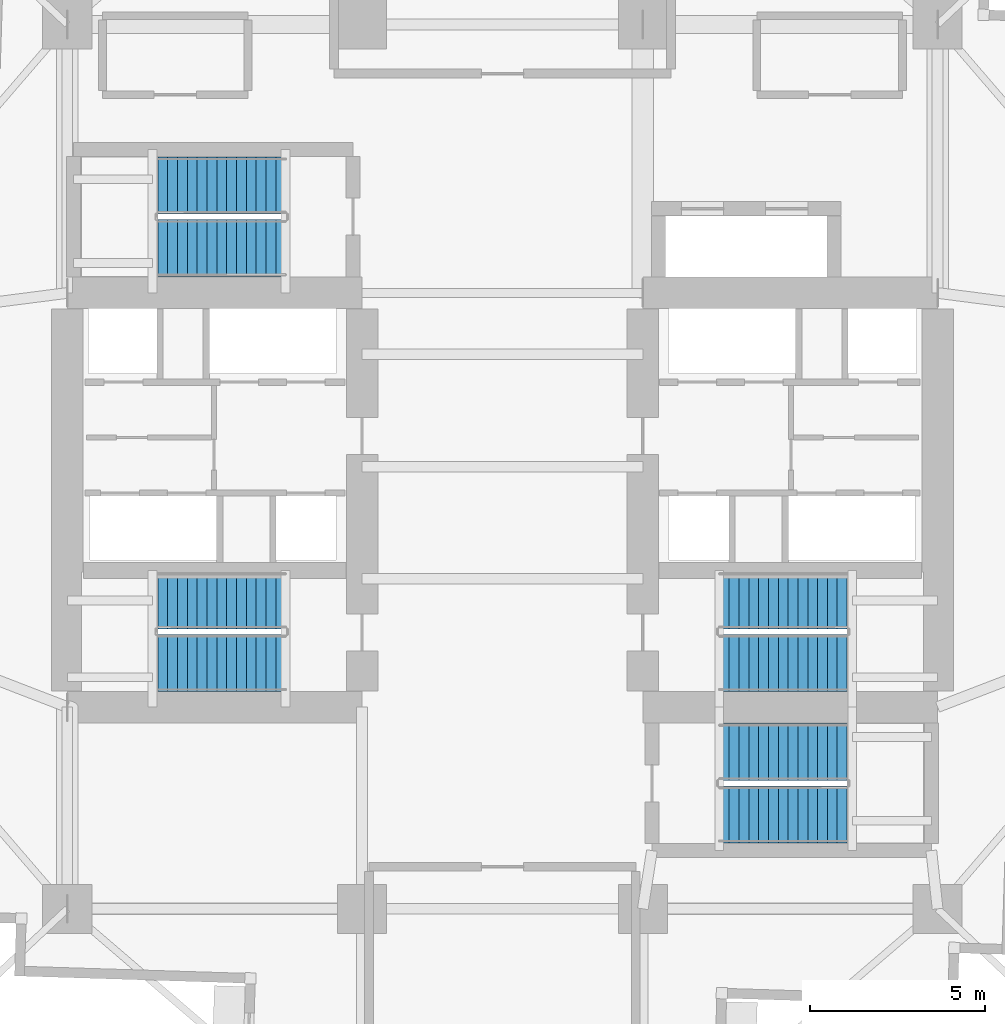
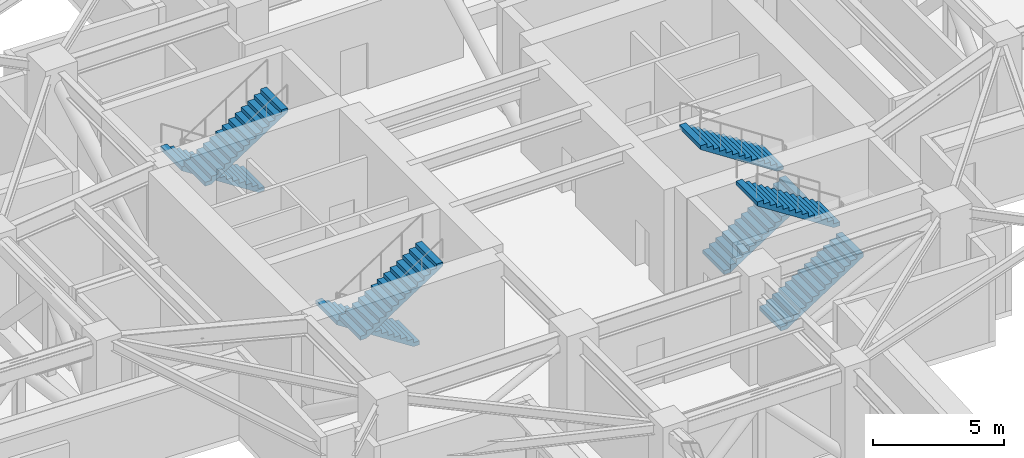
# One storey, part 12 of 17: 8 stair flights, 4 elements without a shape of their own.
"""IFC4 building model written with IfcOpenShell, lengths in metres."""

from ifc_helpers import new_model, si_unit, direction, frame, origin, place, context, subcontext, project, spatial, polyline, outline, extrude, material, layer, layer_set, type_object, element, aggregate, save


model = new_model("IFC4")

# Units and contexts
model_context = context("Model", 3, precision=1e-05, world=origin(), true_north=direction((0.0, 1.0)))
body_context = subcontext(model_context, "Body", "Model", "MODEL_VIEW")
ifc_project = project(units=[si_unit("LENGTHUNIT", "METRE"), si_unit("AREAUNIT", "SQUARE_METRE"), si_unit("VOLUMEUNIT", "CUBIC_METRE"), si_unit("PLANEANGLEUNIT", "RADIAN"), si_unit("MASSUNIT", "GRAM", prefix="KILO")], contexts=[model_context])

# Site, building, storey
site_placement = place(None, origin())
site = spatial("IfcSite", under=ifc_project, at=site_placement, CompositionType="ELEMENT")
building_placement = place(site_placement, origin())
building = spatial("IfcBuilding", under=site, at=building_placement, Name="Qingluan Cross Belvedere", CompositionType="ELEMENT")
storey_placement = place(building_placement, frame((0.0, 0.0, 95.10009765625)))
storey = spatial("IfcBuildingStorey", under=building, at=storey_placement, Name="L24", CompositionType="ELEMENT", Elevation=95.10009765625)

# Stair, stair flights
ifc_material_1 = material(Name="Concrete C40", Category="concrete")
stair_type = type_object("IfcStairType", Name="CoreDoglegStair_1620", PredefinedType="HALF_TURN_STAIR", material=ifc_material_1)
stair_1_placement = place(storey_placement, origin())
stair_1 = element("IfcStair", 1, at=stair_1_placement, inside=storey, type_object=stair_type, Name="L24 ST1", PredefinedType="HALF_TURN_STAIR")
ifc_material_2 = material(Name="Concrete C40", Category="concrete")
ifc_layer = layer(ifc_material_2, 0.179931640625, Name="StairFlight_RC180")
ifc_layer_set = layer_set([ifc_layer], Name="Concrete C40")
stair_flight_type = type_object("IfcStairFlightType", Name="StairFlight_RC180", PredefinedType="STRAIGHT", material=ifc_layer_set)
stair_flight_1_placement = place(storey_placement, frame((-6.179931640625, -3.81005859375, 0.0), z_axis=(0.0, 0.0, 1.0), x_axis=(-1.0, 0.0, 0.0)))
stair_flight_1 = element("IfcStairFlight", 2, at=stair_flight_1_placement, type_object=stair_flight_type, Name="ST1 flight 1", NumberOfRisers=14, NumberOfTreads=13, PredefinedType="STRAIGHT", RiserHeight=0.182142857, TreadLength=0.28, context=body_context, shape_type="SweptSolid", body=[
    extrude(outline(polyline([(0.0, 0.0), (0.0, 0.18212890625), (0.280029296875, 0.18212890625), (0.280029296875, 0.3642578125), (0.56005859375, 0.3642578125), (0.56005859375, 0.54638671875), (0.840087890625, 0.54638671875), (0.840087890625, 0.728515625), (1.1201171875, 0.728515625), (1.1201171875, 0.91064453125), (1.39990234375, 0.91064453125), (1.39990234375, 1.0927734375), (1.679931640625, 1.0927734375), (1.679931640625, 1.27490234375), (1.9599609375, 1.27490234375), (1.9599609375, 1.45703125), (2.239990234375, 1.45703125), (2.239990234375, 1.639404296875), (2.52001953125, 1.639404296875), (2.52001953125, 1.821533203125), (2.800048828125, 1.821533203125), (2.800048828125, 2.003662109375), (3.080078125, 2.003662109375), (3.080078125, 2.185791015625), (3.360107421875, 2.185791015625), (3.360107421875, 2.367919921875), (3.639892578125, 2.367919921875), (3.639892578125, 2.550048828125), (3.639892578125, 2.18896484375), (0.27490234375, 0.0), (0.0, 0.0)])), frame((0.0, 0.81005859375, 0.0), z_axis=(0.0, -1.0, 0.0), x_axis=(1.0, 0.0, 0.0)), (0.0, 0.0, 1.0), 1.6201171875),
])
stair_flight_2_placement = place(storey_placement, frame((-9.820068359375, -5.590087890625, 2.5498046875), z_axis=(0.0, 0.0, 1.0), x_axis=(1.0, 0.0, 0.0)))
stair_flight_2 = element("IfcStairFlight", 3, at=stair_flight_2_placement, type_object=stair_flight_type, Name="ST1 flight 2", NumberOfRisers=14, NumberOfTreads=13, PredefinedType="STRAIGHT", RiserHeight=0.182142857, TreadLength=0.28, context=body_context, shape_type="SweptSolid", body=[
    extrude(outline(polyline([(0.0, 0.0), (0.0, 0.18212890625), (0.280029296875, 0.18212890625), (0.280029296875, 0.3642578125), (0.56005859375, 0.3642578125), (0.56005859375, 0.54638671875), (0.840087890625, 0.54638671875), (0.840087890625, 0.728515625), (1.1201171875, 0.728515625), (1.1201171875, 0.91064453125), (1.39990234375, 0.91064453125), (1.39990234375, 1.0927734375), (1.679931640625, 1.0927734375), (1.679931640625, 1.27490234375), (1.9599609375, 1.27490234375), (1.9599609375, 1.45703125), (2.239990234375, 1.45703125), (2.239990234375, 1.639404296875), (2.52001953125, 1.639404296875), (2.52001953125, 1.821533203125), (2.800048828125, 1.821533203125), (2.800048828125, 2.003662109375), (3.080078125, 2.003662109375), (3.080078125, 2.185791015625), (3.360107421875, 2.185791015625), (3.360107421875, 2.367919921875), (3.639892578125, 2.367919921875), (3.639892578125, 2.550048828125), (3.639892578125, 2.18896484375), (0.27490234375, 0.0), (0.0, 0.0)])), frame((0.0, 0.81005859375, 0.0), z_axis=(0.0, -1.0, 0.0), x_axis=(1.0, 0.0, 0.0)), (0.0, 0.0, 1.0), 1.6201171875),
])
aggregate(stair_1, [stair_flight_1, stair_flight_2])

stair_2_placement = place(storey_placement, origin())
stair_2 = element("IfcStair", 4, at=stair_2_placement, inside=storey, type_object=stair_type, Name="L24 ST2", PredefinedType="HALF_TURN_STAIR")
stair_flight_3_placement = place(storey_placement, frame((6.179931640625, -5.590087890625, 0.0), z_axis=(0.0, 0.0, 1.0), x_axis=(1.0, 0.0, 0.0)))
stair_flight_3 = element("IfcStairFlight", 5, at=stair_flight_3_placement, type_object=stair_flight_type, Name="ST2 flight 1", NumberOfRisers=14, NumberOfTreads=13, PredefinedType="STRAIGHT", RiserHeight=0.182142857, TreadLength=0.28, context=body_context, shape_type="SweptSolid", body=[
    extrude(outline(polyline([(0.0, 0.0), (0.0, 0.18212890625), (0.280029296875, 0.18212890625), (0.280029296875, 0.3642578125), (0.56005859375, 0.3642578125), (0.56005859375, 0.54638671875), (0.840087890625, 0.54638671875), (0.840087890625, 0.728515625), (1.1201171875, 0.728515625), (1.1201171875, 0.91064453125), (1.39990234375, 0.91064453125), (1.39990234375, 1.0927734375), (1.679931640625, 1.0927734375), (1.679931640625, 1.27490234375), (1.9599609375, 1.27490234375), (1.9599609375, 1.45703125), (2.239990234375, 1.45703125), (2.239990234375, 1.639404296875), (2.52001953125, 1.639404296875), (2.52001953125, 1.821533203125), (2.800048828125, 1.821533203125), (2.800048828125, 2.003662109375), (3.080078125, 2.003662109375), (3.080078125, 2.185791015625), (3.360107421875, 2.185791015625), (3.360107421875, 2.367919921875), (3.639892578125, 2.367919921875), (3.639892578125, 2.550048828125), (3.639892578125, 2.18896484375), (0.27490234375, 0.0), (0.0, 0.0)])), frame((0.0, 0.81005859375, 0.0), z_axis=(0.0, -1.0, 0.0), x_axis=(1.0, 0.0, 0.0)), (0.0, 0.0, 1.0), 1.6201171875),
])
stair_flight_4_placement = place(storey_placement, frame((9.820068359375, -3.81005859375, 2.5498046875), z_axis=(0.0, 0.0, 1.0), x_axis=(-1.0, 0.0, 0.0)))
stair_flight_4 = element("IfcStairFlight", 6, at=stair_flight_4_placement, type_object=stair_flight_type, Name="ST2 flight 2", NumberOfRisers=14, NumberOfTreads=13, PredefinedType="STRAIGHT", RiserHeight=0.182142857, TreadLength=0.28, context=body_context, shape_type="SweptSolid", body=[
    extrude(outline(polyline([(0.0, 0.0), (0.0, 0.18212890625), (0.280029296875, 0.18212890625), (0.280029296875, 0.3642578125), (0.56005859375, 0.3642578125), (0.56005859375, 0.54638671875), (0.840087890625, 0.54638671875), (0.840087890625, 0.728515625), (1.1201171875, 0.728515625), (1.1201171875, 0.91064453125), (1.39990234375, 0.91064453125), (1.39990234375, 1.0927734375), (1.679931640625, 1.0927734375), (1.679931640625, 1.27490234375), (1.9599609375, 1.27490234375), (1.9599609375, 1.45703125), (2.239990234375, 1.45703125), (2.239990234375, 1.639404296875), (2.52001953125, 1.639404296875), (2.52001953125, 1.821533203125), (2.800048828125, 1.821533203125), (2.800048828125, 2.003662109375), (3.080078125, 2.003662109375), (3.080078125, 2.185791015625), (3.360107421875, 2.185791015625), (3.360107421875, 2.367919921875), (3.639892578125, 2.367919921875), (3.639892578125, 2.550048828125), (3.639892578125, 2.18896484375), (0.27490234375, 0.0), (0.0, 0.0)])), frame((0.0, 0.81005859375, 0.0), z_axis=(0.0, -1.0, 0.0), x_axis=(1.0, 0.0, 0.0)), (0.0, 0.0, 1.0), 1.6201171875),
])
aggregate(stair_2, [stair_flight_3, stair_flight_4])

stair_3_placement = place(storey_placement, origin())
stair_3 = element("IfcStair", 7, at=stair_3_placement, inside=storey, type_object=stair_type, Name="L24 ST3", PredefinedType="HALF_TURN_STAIR")
stair_flight_5_placement = place(storey_placement, frame((-6.179931640625, 8.010009765625, 0.0), z_axis=(0.0, 0.0, 1.0), x_axis=(-1.0, 0.0, 0.0)))
stair_flight_5 = element("IfcStairFlight", 8, at=stair_flight_5_placement, type_object=stair_flight_type, Name="ST3 flight 1", NumberOfRisers=14, NumberOfTreads=13, PredefinedType="STRAIGHT", RiserHeight=0.182142857, TreadLength=0.28, context=body_context, shape_type="SweptSolid", body=[
    extrude(outline(polyline([(0.0, 0.0), (0.0, 0.18212890625), (0.280029296875, 0.18212890625), (0.280029296875, 0.3642578125), (0.56005859375, 0.3642578125), (0.56005859375, 0.54638671875), (0.840087890625, 0.54638671875), (0.840087890625, 0.728515625), (1.1201171875, 0.728515625), (1.1201171875, 0.91064453125), (1.39990234375, 0.91064453125), (1.39990234375, 1.0927734375), (1.679931640625, 1.0927734375), (1.679931640625, 1.27490234375), (1.9599609375, 1.27490234375), (1.9599609375, 1.45703125), (2.239990234375, 1.45703125), (2.239990234375, 1.639404296875), (2.52001953125, 1.639404296875), (2.52001953125, 1.821533203125), (2.800048828125, 1.821533203125), (2.800048828125, 2.003662109375), (3.080078125, 2.003662109375), (3.080078125, 2.185791015625), (3.360107421875, 2.185791015625), (3.360107421875, 2.367919921875), (3.639892578125, 2.367919921875), (3.639892578125, 2.550048828125), (3.639892578125, 2.18896484375), (0.27490234375, 0.0), (0.0, 0.0)])), frame((0.0, 0.81005859375, 0.0), z_axis=(0.0, -1.0, 0.0), x_axis=(1.0, 0.0, 0.0)), (0.0, 0.0, 1.0), 1.6201171875),
])
stair_flight_6_placement = place(storey_placement, frame((-9.820068359375, 6.22998046875, 2.5498046875), z_axis=(0.0, 0.0, 1.0), x_axis=(1.0, 0.0, 0.0)))
stair_flight_6 = element("IfcStairFlight", 9, at=stair_flight_6_placement, type_object=stair_flight_type, Name="ST3 flight 2", NumberOfRisers=14, NumberOfTreads=13, PredefinedType="STRAIGHT", RiserHeight=0.182142857, TreadLength=0.28, context=body_context, shape_type="SweptSolid", body=[
    extrude(outline(polyline([(0.0, 0.0), (0.0, 0.18212890625), (0.280029296875, 0.18212890625), (0.280029296875, 0.3642578125), (0.56005859375, 0.3642578125), (0.56005859375, 0.54638671875), (0.840087890625, 0.54638671875), (0.840087890625, 0.728515625), (1.1201171875, 0.728515625), (1.1201171875, 0.91064453125), (1.39990234375, 0.91064453125), (1.39990234375, 1.0927734375), (1.679931640625, 1.0927734375), (1.679931640625, 1.27490234375), (1.9599609375, 1.27490234375), (1.9599609375, 1.45703125), (2.239990234375, 1.45703125), (2.239990234375, 1.639404296875), (2.52001953125, 1.639404296875), (2.52001953125, 1.821533203125), (2.800048828125, 1.821533203125), (2.800048828125, 2.003662109375), (3.080078125, 2.003662109375), (3.080078125, 2.185791015625), (3.360107421875, 2.185791015625), (3.360107421875, 2.367919921875), (3.639892578125, 2.367919921875), (3.639892578125, 2.550048828125), (3.639892578125, 2.18896484375), (0.27490234375, 0.0), (0.0, 0.0)])), frame((0.0, 0.81005859375, 0.0), z_axis=(0.0, -1.0, 0.0), x_axis=(1.0, 0.0, 0.0)), (0.0, 0.0, 1.0), 1.6201171875),
])
aggregate(stair_3, [stair_flight_5, stair_flight_6])

stair_4_placement = place(storey_placement, origin())
stair_4 = element("IfcStair", 10, at=stair_4_placement, inside=storey, type_object=stair_type, Name="L24 ST4", PredefinedType="HALF_TURN_STAIR")
stair_flight_7_placement = place(storey_placement, frame((6.179931640625, -9.909912109375, 0.0), z_axis=(0.0, 0.0, 1.0), x_axis=(1.0, 0.0, 0.0)))
stair_flight_7 = element("IfcStairFlight", 11, at=stair_flight_7_placement, type_object=stair_flight_type, Name="ST4 flight 1", NumberOfRisers=14, NumberOfTreads=13, PredefinedType="STRAIGHT", RiserHeight=0.182142857, TreadLength=0.28, context=body_context, shape_type="SweptSolid", body=[
    extrude(outline(polyline([(0.0, 0.0), (0.0, 0.18212890625), (0.280029296875, 0.18212890625), (0.280029296875, 0.3642578125), (0.56005859375, 0.3642578125), (0.56005859375, 0.54638671875), (0.840087890625, 0.54638671875), (0.840087890625, 0.728515625), (1.1201171875, 0.728515625), (1.1201171875, 0.91064453125), (1.39990234375, 0.91064453125), (1.39990234375, 1.0927734375), (1.679931640625, 1.0927734375), (1.679931640625, 1.27490234375), (1.9599609375, 1.27490234375), (1.9599609375, 1.45703125), (2.239990234375, 1.45703125), (2.239990234375, 1.639404296875), (2.52001953125, 1.639404296875), (2.52001953125, 1.821533203125), (2.800048828125, 1.821533203125), (2.800048828125, 2.003662109375), (3.080078125, 2.003662109375), (3.080078125, 2.185791015625), (3.360107421875, 2.185791015625), (3.360107421875, 2.367919921875), (3.639892578125, 2.367919921875), (3.639892578125, 2.550048828125), (3.639892578125, 2.18896484375), (0.27490234375, 0.0), (0.0, 0.0)])), frame((0.0, 0.81005859375, 0.0), z_axis=(0.0, -1.0, 0.0), x_axis=(1.0, 0.0, 0.0)), (0.0, 0.0, 1.0), 1.6201171875),
])
stair_flight_8_placement = place(storey_placement, frame((9.820068359375, -8.1298828125, 2.5498046875), z_axis=(0.0, 0.0, 1.0), x_axis=(-1.0, 0.0, 0.0)))
stair_flight_8 = element("IfcStairFlight", 12, at=stair_flight_8_placement, type_object=stair_flight_type, Name="ST4 flight 2", NumberOfRisers=14, NumberOfTreads=13, PredefinedType="STRAIGHT", RiserHeight=0.182142857, TreadLength=0.28, context=body_context, shape_type="SweptSolid", body=[
    extrude(outline(polyline([(0.0, 0.0), (0.0, 0.18212890625), (0.280029296875, 0.18212890625), (0.280029296875, 0.3642578125), (0.56005859375, 0.3642578125), (0.56005859375, 0.54638671875), (0.840087890625, 0.54638671875), (0.840087890625, 0.728515625), (1.1201171875, 0.728515625), (1.1201171875, 0.91064453125), (1.39990234375, 0.91064453125), (1.39990234375, 1.0927734375), (1.679931640625, 1.0927734375), (1.679931640625, 1.27490234375), (1.9599609375, 1.27490234375), (1.9599609375, 1.45703125), (2.239990234375, 1.45703125), (2.239990234375, 1.639404296875), (2.52001953125, 1.639404296875), (2.52001953125, 1.821533203125), (2.800048828125, 1.821533203125), (2.800048828125, 2.003662109375), (3.080078125, 2.003662109375), (3.080078125, 2.185791015625), (3.360107421875, 2.185791015625), (3.360107421875, 2.367919921875), (3.639892578125, 2.367919921875), (3.639892578125, 2.550048828125), (3.639892578125, 2.18896484375), (0.27490234375, 0.0), (0.0, 0.0)])), frame((0.0, 0.81005859375, 0.0), z_axis=(0.0, -1.0, 0.0), x_axis=(1.0, 0.0, 0.0)), (0.0, 0.0, 1.0), 1.6201171875),
])
aggregate(stair_4, [stair_flight_7, stair_flight_8])

save(model, "model.ifc")
